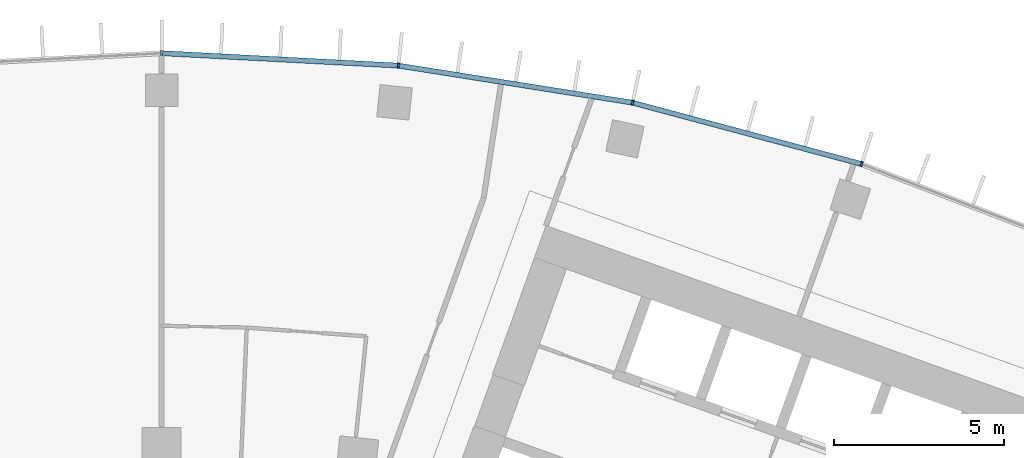
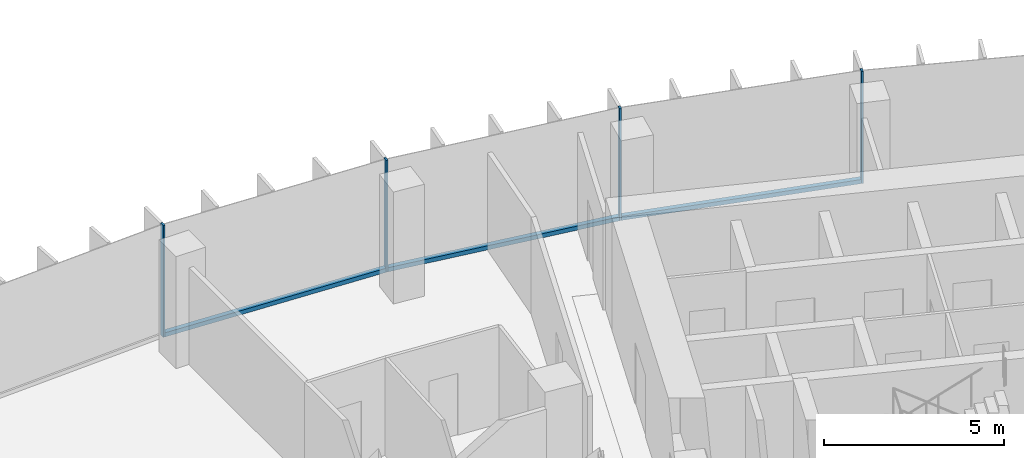
# One storey, part 7 of 19: 7 members, 1 element without a shape of its own.
"""IFC4 building model written with IfcOpenShell, lengths in metres."""

from ifc_helpers import new_model, si_unit, direction, frame, origin, origin_2d, place, context, subcontext, project, spatial, rectangle, extrude, material, layer, layer_set, material_profile, profile_set, type_object, element, aggregate, save


model = new_model("IFC4")

# Units and contexts
model_context = context("Model", 3, precision=1e-05, world=origin(), true_north=direction((0.0, 1.0)))
body_context = subcontext(model_context, "Body", "Model", "MODEL_VIEW")
ifc_project = project(units=[si_unit("LENGTHUNIT", "METRE"), si_unit("AREAUNIT", "SQUARE_METRE"), si_unit("VOLUMEUNIT", "CUBIC_METRE"), si_unit("PLANEANGLEUNIT", "RADIAN"), si_unit("MASSUNIT", "GRAM", prefix="KILO")], contexts=[model_context])

# Site, building, storey
site_placement = place(None, origin())
site = spatial("IfcSite", under=ifc_project, at=site_placement, CompositionType="ELEMENT")
building_placement = place(site_placement, origin())
building = spatial("IfcBuilding", under=site, at=building_placement, Name="Stone Belt Terrace Tower", CompositionType="ELEMENT")
storey_placement = place(building_placement, frame((0.0, 0.0, 246.60009765625)))
storey = spatial("IfcBuildingStorey", under=building, at=storey_placement, Name="L60", CompositionType="ELEMENT", Elevation=246.60009765625)

# Curtain wall, members
ifc_material = material(Name="Aluminium 6063-T6 anodised frame", Category="aluminium")
ifc_layer = layer(ifc_material, 0.14990234375)
ifc_layer_set = layer_set([ifc_layer], Name="CW-A unitised convex-face curtain wall")
curtain_wall_type = type_object("IfcCurtainWallType", Name="CW-A unitised convex-face curtain wall", PredefinedType="NOTDEFINED", material=ifc_layer_set)
curtain_wall_placement = place(storey_placement, origin())
curtain_wall = element("IfcCurtainWall", 1, at=curtain_wall_placement, inside=storey, type_object=curtain_wall_type, Name="CW-A convex face L60", PredefinedType="NOTDEFINED")
ifc_material_profile_1 = material_profile(ifc_material, rectangle(XDim=0.14990234375, YDim=0.06005859375, at=origin_2d()), Name="Aluminium 6063-T6 60x150")
ifc_profile_set_1 = profile_set([ifc_material_profile_1], Name="Aluminium 6063-T6 anodised frame")
member_type_1 = type_object("IfcMemberType", Name="CW-A mullion 60 x 150", PredefinedType="MULLION", material=ifc_profile_set_1)
member_1_placement = place(storey_placement, frame((20.57275390625, 63.316650390625, 0.0), z_axis=(0.0, 0.0, 1.0), x_axis=(-0.309016994375, -0.951056516295, 0.0)))
member_1 = element("IfcMember", 2, at=member_1_placement, type_object=member_type_1, Name="CW-A mullion 6", PredefinedType="MULLION", context=body_context, shape_type="SweptSolid", body=[
    extrude(rectangle(XDim=0.14990234375, YDim=0.06005859375, at=origin_2d()), origin(), (0.0, 0.0, 1.0), 3.7998046875),
])
member_2_placement = place(storey_placement, frame((13.841796875, 65.120361328125, 0.0), z_axis=(0.0, 0.0, 1.0), x_axis=(-0.207911690818, -0.978147600734, 0.0)))
member_2 = element("IfcMember", 3, at=member_2_placement, type_object=member_type_1, Name="CW-A mullion 7", PredefinedType="MULLION", context=body_context, shape_type="SweptSolid", body=[
    extrude(rectangle(XDim=0.14990234375, YDim=0.06005859375, at=origin_2d()), origin(), (0.0, 0.0, 1.0), 3.7998046875),
])
member_3_placement = place(storey_placement, frame((6.958984375, 66.21044921875, 0.0), z_axis=(0.0, 0.0, 1.0), x_axis=(-0.104528463268, -0.994521895368, 0.0)))
member_3 = element("IfcMember", 4, at=member_3_placement, type_object=member_type_1, Name="CW-A mullion 8", PredefinedType="MULLION", context=body_context, shape_type="SweptSolid", body=[
    extrude(rectangle(XDim=0.14990234375, YDim=0.06005859375, at=origin_2d()), origin(), (0.0, 0.0, 1.0), 3.7998046875),
])
member_4_placement = place(storey_placement, frame((0.0, 66.5751953125, 0.0), z_axis=(0.0, 0.0, 1.0), x_axis=(0.0, -1.0, 0.0)))
member_4 = element("IfcMember", 5, at=member_4_placement, type_object=member_type_1, Name="CW-A mullion 9", PredefinedType="MULLION", context=body_context, shape_type="SweptSolid", body=[
    extrude(rectangle(XDim=0.14990234375, YDim=0.06005859375, at=origin_2d()), origin(), (0.0, 0.0, 1.0), 3.7998046875),
])
ifc_material_profile_2 = material_profile(ifc_material, rectangle(XDim=0.14990234375, YDim=0.139892578125, at=origin_2d()), Name="Aluminium 6063-T6 150x140")
ifc_profile_set_2 = profile_set([ifc_material_profile_2], Name="Aluminium 6063-T6 anodised frame")
member_type_2 = type_object("IfcMemberType", Name="CW-A transom 140 x 150", PredefinedType="USERDEFINED", material=ifc_profile_set_2)
member_5_placement = place(storey_placement, frame((20.5400390625, 63.325439453125, 0.06982421875), z_axis=(-0.965921835863, 0.258833937117, 0.0), x_axis=(-0.258833937117, -0.965921835863, 0.0)))
member_5 = element("IfcMember", 6, at=member_5_placement, type_object=member_type_2, Name="CW-A transom 6.1", ObjectType="TRANSOM", PredefinedType="USERDEFINED", context=body_context, shape_type="SweptSolid", body=[
    extrude(rectangle(XDim=0.14990234375, YDim=0.139892578125, at=origin_2d()), origin(), (0.0, 0.0, 1.0), 6.900634765625),
])
member_6_placement = place(storey_placement, frame((13.808349609375, 65.12548828125, 0.06982421875), z_axis=(-0.987687120531, 0.156442168027, 0.0), x_axis=(-0.156442168027, -0.987687120531, 0.0)))
member_6 = element("IfcMember", 7, at=member_6_placement, type_object=member_type_2, Name="CW-A transom 7.1", ObjectType="TRANSOM", PredefinedType="USERDEFINED", context=body_context, shape_type="SweptSolid", body=[
    extrude(rectangle(XDim=0.14990234375, YDim=0.139892578125, at=origin_2d()), origin(), (0.0, 0.0, 1.0), 6.90087890625),
])
member_7_placement = place(storey_placement, frame((6.925048828125, 66.212158203125, 0.06982421875), z_axis=(-0.998630019135, 0.052326712899, 0.0), x_axis=(-0.052326712899, -0.998630019135, 0.0)))
member_7 = element("IfcMember", 8, at=member_7_placement, type_object=member_type_2, Name="CW-A transom 8.1", ObjectType="TRANSOM", PredefinedType="USERDEFINED", context=body_context, shape_type="SweptSolid", body=[
    extrude(rectangle(XDim=0.14990234375, YDim=0.139892578125, at=origin_2d()), origin(), (0.0, 0.0, 1.0), 6.900634765625),
])
aggregate(curtain_wall, [member_1, member_2, member_3, member_4, member_5, member_6, member_7])

save(model, "model.ifc")
